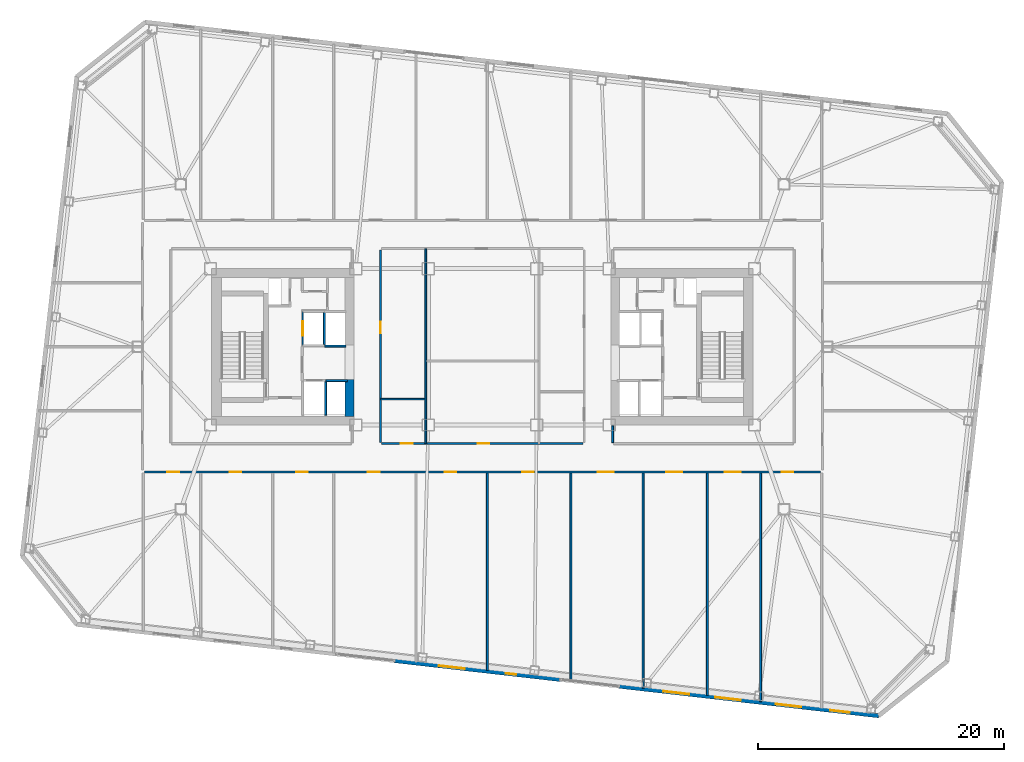
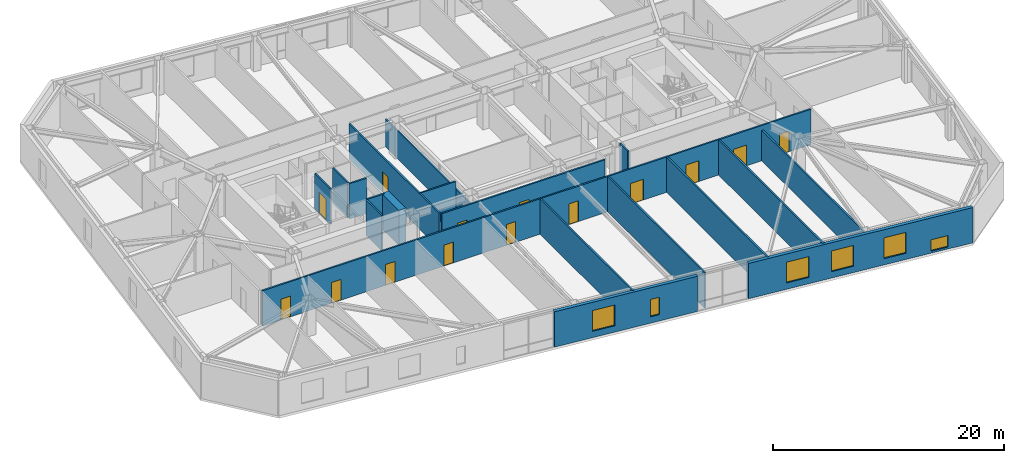
# One storey, part 12 of 21: 19 walls, 14 doors, 6 windows, 20 openings.
"""IFC4 building model written with IfcOpenShell, lengths in metres."""

from ifc_helpers import new_model, si_unit, direction, frame, frame_2d, origin, place, context, subcontext, project, spatial, rectangle, extrude, material, layer, layer_set, type_object, element, fill, save


model = new_model("IFC4")

# Units and contexts
model_context = context("Model", 3, precision=1e-05, world=origin(), true_north=direction((0.0, 1.0)))
body_context = subcontext(model_context, "Body", "Model", "MODEL_VIEW")
ifc_project = project(units=[si_unit("LENGTHUNIT", "METRE"), si_unit("AREAUNIT", "SQUARE_METRE"), si_unit("VOLUMEUNIT", "CUBIC_METRE"), si_unit("PLANEANGLEUNIT", "RADIAN"), si_unit("MASSUNIT", "GRAM", prefix="KILO")], contexts=[model_context])

# Site, building, storey
site_placement = place(None, origin())
site = spatial("IfcSite", under=ifc_project, at=site_placement, CompositionType="ELEMENT")
building_placement = place(site_placement, origin())
building = spatial("IfcBuilding", under=site, at=building_placement, Name="Tavrogorsk Clinical Tower", CompositionType="ELEMENT")
storey_placement = place(building_placement, frame((0.0, 0.0, 133.39990234375)))
storey = spatial("IfcBuildingStorey", under=building, at=storey_placement, Name="L30", CompositionType="ELEMENT", Elevation=133.39990234375)

# Walls
ifc_material_1 = material(Name="Lightweight concrete blockwork B15", Category="masonry")
ifc_layer_1 = layer(ifc_material_1, 0.139892578125)
ifc_layer_set_1 = layer_set([ifc_layer_1], Name="Lightweight concrete blockwork B15")
wall_type_1 = type_object("IfcWallType", Name="PartitionWall_140", PredefinedType="PARTITIONING", material=ifc_layer_set_1)
wall_1_placement = place(storey_placement, frame((-4.60009765625, -7.864990234375, 0.0), z_axis=(0.0, 0.0, 1.0), x_axis=(0.0, 1.0, 0.0)))
element("IfcWall", 1, at=wall_1_placement, inside=storey, type_object=wall_type_1, Name="L30 Central Spine Partition 1", PredefinedType="PARTITIONING", context=body_context, shape_type="SweptSolid", body=[
    extrude(rectangle(XDim=15.830078125, YDim=0.139892578125, at=frame_2d((7.9150390625, 0.0))), origin(), (0.0, 0.0, 1.0), 2.93505859375),
])
wall_2_placement = place(storey_placement, frame((-8.264892578125, -4.25, 0.0), z_axis=(0.0, 0.0, 1.0), x_axis=(1.0, 0.0, 0.0)))
element("IfcWall", 2, at=wall_2_placement, inside=storey, type_object=wall_type_1, Name="L30 Central Spine Partition 4", PredefinedType="PARTITIONING", context=body_context, shape_type="SweptSolid", body=[
    extrude(rectangle(XDim=3.58984375, YDim=0.139892578125, at=frame_2d((1.794921875, 0.0))), origin(), (0.0, 0.0, 1.0), 3.739990234375),
])

# Wall, openings, doors
ifc_material_2 = material(Name="Lightweight concrete blockwork B15", Category="masonry")
ifc_layer_2 = layer(ifc_material_2, 0.159912109375)
ifc_layer_set_2 = layer_set([ifc_layer_2], Name="Lightweight concrete blockwork B15")
wall_type_2 = type_object("IfcWallType", Name="PartitionWall_160", PredefinedType="PARTITIONING", material=ifc_layer_set_2)
wall_3_placement = place(storey_placement, frame((27.465087890625, -10.179931640625, 0.0), z_axis=(0.0, 0.0, 1.0), x_axis=(-1.0, 0.0, 0.0)))
wall_3 = element("IfcWall", 3, at=wall_3_placement, inside=storey, type_object=wall_type_2, Name="L30 Corridor Partition 04", PredefinedType="PARTITIONING", context=body_context, shape_type="SweptSolid", body=[
    extrude(rectangle(XDim=54.93017578125, YDim=0.159912109375, at=frame_2d((27.465087890625, 0.0))), origin(), (0.0, 0.0, 1.0), 3.739990234375),
])
opening_1_placement = place(wall_3_placement, frame((52.10595703125, 0.0, 0.0)))
opening_1 = element("IfcOpeningElement", 4, at=opening_1_placement, cuts=wall_3, Name="Opening ID-02", PredefinedType="OPENING", context=body_context, shape_type="SweptSolid", body=[
    extrude(rectangle(XDim=0.949951171875, YDim=2.199951171875, at=frame_2d((0.47509765625, 1.10009765625))), frame((0.0, 0.08984375, 0.0), z_axis=(0.0, -1.0, 0.0), x_axis=(1.0, 0.0, 0.0)), (0.0, 0.0, 1.0), 0.179931640625),
])
opening_2_placement = place(wall_3_placement, frame((47.050048828125, 0.0, 0.0)))
opening_2 = element("IfcOpeningElement", 5, at=opening_2_placement, cuts=wall_3, Name="Opening ID-02", PredefinedType="OPENING", context=body_context, shape_type="SweptSolid", body=[
    extrude(rectangle(XDim=0.949951171875, YDim=2.199951171875, at=frame_2d((0.47509765625, 1.10009765625))), frame((0.0, 0.08984375, 0.0), z_axis=(0.0, -1.0, 0.0), x_axis=(1.0, 0.0, 0.0)), (0.0, 0.0, 1.0), 0.179931640625),
])
opening_3_placement = place(wall_3_placement, frame((41.64990234375, 0.0, 0.0)))
opening_3 = element("IfcOpeningElement", 6, at=opening_3_placement, cuts=wall_3, Name="Opening ID-02", PredefinedType="OPENING", context=body_context, shape_type="SweptSolid", body=[
    extrude(rectangle(XDim=0.949951171875, YDim=2.199951171875, at=frame_2d((0.47509765625, 1.10009765625))), frame((0.0, 0.08984375, 0.0), z_axis=(0.0, -1.0, 0.0), x_axis=(1.0, 0.0, 0.0)), (0.0, 0.0, 1.0), 0.179931640625),
])
opening_4_placement = place(wall_3_placement, frame((35.824951171875, 0.0, 0.0)))
opening_4 = element("IfcOpeningElement", 7, at=opening_4_placement, cuts=wall_3, Name="Opening ID-02", PredefinedType="OPENING", context=body_context, shape_type="SweptSolid", body=[
    extrude(rectangle(XDim=0.949951171875, YDim=2.199951171875, at=frame_2d((0.47509765625, 1.10009765625))), frame((0.0, 0.08984375, 0.0), z_axis=(0.0, -1.0, 0.0), x_axis=(1.0, 0.0, 0.0)), (0.0, 0.0, 1.0), 0.179931640625),
])
opening_5_placement = place(wall_3_placement, frame((29.574951171875, 0.0, 0.0)))
opening_5 = element("IfcOpeningElement", 8, at=opening_5_placement, cuts=wall_3, Name="Opening ID-02", PredefinedType="OPENING", context=body_context, shape_type="SweptSolid", body=[
    extrude(rectangle(XDim=0.949951171875, YDim=2.199951171875, at=frame_2d((0.47509765625, 1.10009765625))), frame((0.0, 0.08984375, 0.0), z_axis=(0.0, -1.0, 0.0), x_axis=(1.0, 0.0, 0.0)), (0.0, 0.0, 1.0), 0.179931640625),
])
opening_6_placement = place(wall_3_placement, frame((23.284912109375, 0.0, 0.0)))
opening_6 = element("IfcOpeningElement", 9, at=opening_6_placement, cuts=wall_3, Name="Opening ID-02", PredefinedType="OPENING", context=body_context, shape_type="SweptSolid", body=[
    extrude(rectangle(XDim=0.949951171875, YDim=2.199951171875, at=frame_2d((0.47509765625, 1.10009765625))), frame((0.0, 0.08984375, 0.0), z_axis=(0.0, -1.0, 0.0), x_axis=(1.0, 0.0, 0.0)), (0.0, 0.0, 1.0), 0.179931640625),
])
opening_7_placement = place(wall_3_placement, frame((16.780029296875, 0.0, 0.0)))
opening_7 = element("IfcOpeningElement", 10, at=opening_7_placement, cuts=wall_3, Name="Opening ID-01", PredefinedType="OPENING", context=body_context, shape_type="SweptSolid", body=[
    extrude(rectangle(XDim=1.300048828125, YDim=2.199951171875, at=frame_2d((0.64990234375, 1.10009765625))), frame((0.0, 0.08984375, 0.0), z_axis=(0.0, -1.0, 0.0), x_axis=(1.0, 0.0, 0.0)), (0.0, 0.0, 1.0), 0.179931640625),
])
opening_8_placement = place(wall_3_placement, frame((11.22998046875, 0.0, 0.0)))
opening_8 = element("IfcOpeningElement", 11, at=opening_8_placement, cuts=wall_3, Name="Opening ID-01", PredefinedType="OPENING", context=body_context, shape_type="SweptSolid", body=[
    extrude(rectangle(XDim=1.300048828125, YDim=2.199951171875, at=frame_2d((0.64990234375, 1.10009765625))), frame((0.0, 0.08984375, 0.0), z_axis=(0.0, -1.0, 0.0), x_axis=(1.0, 0.0, 0.0)), (0.0, 0.0, 1.0), 0.179931640625),
])
opening_9_placement = place(wall_3_placement, frame((6.4599609375, 0.0, 0.0)))
opening_9 = element("IfcOpeningElement", 12, at=opening_9_placement, cuts=wall_3, Name="Opening ID-01", PredefinedType="OPENING", context=body_context, shape_type="SweptSolid", body=[
    extrude(rectangle(XDim=1.300048828125, YDim=2.199951171875, at=frame_2d((0.64990234375, 1.10009765625))), frame((0.0, 0.08984375, 0.0), z_axis=(0.0, -1.0, 0.0), x_axis=(1.0, 0.0, 0.0)), (0.0, 0.0, 1.0), 0.179931640625),
])
opening_10_placement = place(wall_3_placement, frame((2.194091796875, 0.0, 0.0)))
opening_10 = element("IfcOpeningElement", 13, at=opening_10_placement, cuts=wall_3, Name="Opening ID-02", PredefinedType="OPENING", context=body_context, shape_type="SweptSolid", body=[
    extrude(rectangle(XDim=0.949951171875, YDim=2.199951171875, at=frame_2d((0.47509765625, 1.10009765625))), frame((0.0, 0.08984375, 0.0), z_axis=(0.0, -1.0, 0.0), x_axis=(1.0, 0.0, 0.0)), (0.0, 0.0, 1.0), 0.179931640625),
])
ifc_material_3 = material(Name="Laminated timber leaf on aluminium frame", Category="wood")
door_type_1 = type_object("IfcDoorType", Name="InteriorDoor_ID02_950", OperationType="NOTDEFINED", PredefinedType="DOOR", material=ifc_material_3)
door_1_placement = place(opening_1_placement, origin())
door_1 = element("IfcDoor", 14, at=door_1_placement, inside=storey, type_object=door_type_1, Name="L30 South Clean Medication & Prep Room 01 Door", OperationType="SINGLE_SWING_RIGHT", OverallHeight=2.199951171875, OverallWidth=0.949951171875, PredefinedType="DOOR", context=body_context, shape_type="SweptSolid", body=[
    extrude(rectangle(XDim=0.949951171875, YDim=2.199951171875, at=frame_2d((0.47509765625, 1.10009765625))), frame((0.0, 0.02490234375, 0.0), z_axis=(0.0, -1.0, 0.0), x_axis=(1.0, 0.0, 0.0)), (0.0, 0.0, 1.0), 0.050048828125),
])
fill(opening_1, door_1)
door_2_placement = place(opening_2_placement, origin())
door_2 = element("IfcDoor", 15, at=door_2_placement, inside=storey, type_object=door_type_1, Name="L30 South Outpatient Procedure Suite 02A Door", OperationType="SINGLE_SWING_LEFT", OverallHeight=2.199951171875, OverallWidth=0.949951171875, PredefinedType="DOOR", context=body_context, shape_type="SweptSolid", body=[
    extrude(rectangle(XDim=0.949951171875, YDim=2.199951171875, at=frame_2d((0.47509765625, 1.10009765625))), frame((0.0, 0.02490234375, 0.0), z_axis=(0.0, -1.0, 0.0), x_axis=(1.0, 0.0, 0.0)), (0.0, 0.0, 1.0), 0.050048828125),
])
fill(opening_2, door_2)
door_3_placement = place(opening_3_placement, origin())
door_3 = element("IfcDoor", 16, at=door_3_placement, inside=storey, type_object=door_type_1, Name="L30 South Clinical Case Seminar Room 02B Door", OperationType="SINGLE_SWING_RIGHT", OverallHeight=2.199951171875, OverallWidth=0.949951171875, PredefinedType="DOOR", context=body_context, shape_type="SweptSolid", body=[
    extrude(rectangle(XDim=0.949951171875, YDim=2.199951171875, at=frame_2d((0.47509765625, 1.10009765625))), frame((0.0, 0.02490234375, 0.0), z_axis=(0.0, -1.0, 0.0), x_axis=(1.0, 0.0, 0.0)), (0.0, 0.0, 1.0), 0.050048828125),
])
fill(opening_3, door_3)
door_4_placement = place(opening_4_placement, origin())
door_4 = element("IfcDoor", 17, at=door_4_placement, inside=storey, type_object=door_type_1, Name="L30 South Cardiology Diagnostics Room 03A Door", OperationType="SINGLE_SWING_LEFT", OverallHeight=2.199951171875, OverallWidth=0.949951171875, PredefinedType="DOOR", context=body_context, shape_type="SweptSolid", body=[
    extrude(rectangle(XDim=0.949951171875, YDim=2.199951171875, at=frame_2d((0.47509765625, 1.10009765625))), frame((0.0, 0.02490234375, 0.0), z_axis=(0.0, -1.0, 0.0), x_axis=(1.0, 0.0, 0.0)), (0.0, 0.0, 1.0), 0.050048828125),
])
fill(opening_4, door_4)
door_5_placement = place(opening_5_placement, origin())
door_5 = element("IfcDoor", 18, at=door_5_placement, inside=storey, type_object=door_type_1, Name="L30 South Staff Rest & Nourishment Lounge 03B Door", OperationType="SINGLE_SWING_RIGHT", OverallHeight=2.199951171875, OverallWidth=0.949951171875, PredefinedType="DOOR", context=body_context, shape_type="SweptSolid", body=[
    extrude(rectangle(XDim=0.949951171875, YDim=2.199951171875, at=frame_2d((0.47509765625, 1.10009765625))), frame((0.0, 0.02490234375, 0.0), z_axis=(0.0, -1.0, 0.0), x_axis=(1.0, 0.0, 0.0)), (0.0, 0.0, 1.0), 0.050048828125),
])
fill(opening_5, door_5)
door_6_placement = place(opening_6_placement, origin())
door_6 = element("IfcDoor", 19, at=door_6_placement, inside=storey, type_object=door_type_1, Name="L30 South Attending Physician Office 04A Door", OperationType="SINGLE_SWING_LEFT", OverallHeight=2.199951171875, OverallWidth=0.949951171875, PredefinedType="DOOR", context=body_context, shape_type="SweptSolid", body=[
    extrude(rectangle(XDim=0.949951171875, YDim=2.199951171875, at=frame_2d((0.47509765625, 1.10009765625))), frame((0.0, 0.02490234375, 0.0), z_axis=(0.0, -1.0, 0.0), x_axis=(1.0, 0.0, 0.0)), (0.0, 0.0, 1.0), 0.050048828125),
])
fill(opening_6, door_6)
door_7_placement = place(opening_10_placement, origin())
door_7 = element("IfcDoor", 20, at=door_7_placement, inside=storey, type_object=door_type_1, Name="L30 South Clean Medication & Prep Room 06 Door", OperationType="SINGLE_SWING_LEFT", OverallHeight=2.199951171875, OverallWidth=0.949951171875, PredefinedType="DOOR", context=body_context, shape_type="SweptSolid", body=[
    extrude(rectangle(XDim=0.949951171875, YDim=2.199951171875, at=frame_2d((0.47509765625, 1.10009765625))), frame((0.0, 0.02490234375, 0.0), z_axis=(0.0, -1.0, 0.0), x_axis=(1.0, 0.0, 0.0)), (0.0, 0.0, 1.0), 0.050048828125),
])
fill(opening_10, door_7)
ifc_material_4 = material(Name="Antibacterial HPL medical leaf on aluminium frame", Category="aluminium")
door_type_2 = type_object("IfcDoorType", Name="WardBedDoor_ID01_1300", OperationType="NOTDEFINED", PredefinedType="DOOR", material=ifc_material_4)
door_8_placement = place(opening_7_placement, origin())
door_8 = element("IfcDoor", 21, at=door_8_placement, inside=storey, type_object=door_type_2, Name="L30 South Bariatric Observation Ward 04B Door", OperationType="SINGLE_SWING_RIGHT", OverallHeight=2.199951171875, OverallWidth=1.300048828125, PredefinedType="DOOR", context=body_context, shape_type="SweptSolid", body=[
    extrude(rectangle(XDim=1.300048828125, YDim=2.199951171875, at=frame_2d((0.64990234375, 1.10009765625))), frame((0.0, 0.02490234375, 0.0), z_axis=(0.0, -1.0, 0.0), x_axis=(1.0, 0.0, 0.0)), (0.0, 0.0, 1.0), 0.050048828125),
])
fill(opening_7, door_8)
door_9_placement = place(opening_8_placement, origin())
door_9 = element("IfcDoor", 22, at=door_9_placement, inside=storey, type_object=door_type_2, Name="L30 South Acute Medical Ward 05A Door", OperationType="SINGLE_SWING_LEFT", OverallHeight=2.199951171875, OverallWidth=1.300048828125, PredefinedType="DOOR", context=body_context, shape_type="SweptSolid", body=[
    extrude(rectangle(XDim=1.300048828125, YDim=2.199951171875, at=frame_2d((0.64990234375, 1.10009765625))), frame((0.0, 0.02490234375, 0.0), z_axis=(0.0, -1.0, 0.0), x_axis=(1.0, 0.0, 0.0)), (0.0, 0.0, 1.0), 0.050048828125),
])
fill(opening_8, door_9)
door_10_placement = place(opening_9_placement, origin())
door_10 = element("IfcDoor", 23, at=door_10_placement, inside=storey, type_object=door_type_2, Name="L30 South Surgical Step-Down Ward 05B Door", OperationType="SINGLE_SWING_RIGHT", OverallHeight=2.199951171875, OverallWidth=1.300048828125, PredefinedType="DOOR", context=body_context, shape_type="SweptSolid", body=[
    extrude(rectangle(XDim=1.300048828125, YDim=2.199951171875, at=frame_2d((0.64990234375, 1.10009765625))), frame((0.0, 0.02490234375, 0.0), z_axis=(0.0, -1.0, 0.0), x_axis=(1.0, 0.0, 0.0)), (0.0, 0.0, 1.0), 0.050048828125),
])
fill(opening_9, door_10)

# Wall
wall_4_placement = place(storey_placement, frame((10.580078125, -6.419921875, 0.0), z_axis=(0.0, 0.0, 1.0), x_axis=(0.0, -1.0, 0.0)))
element("IfcWall", 24, at=wall_4_placement, inside=storey, type_object=wall_type_2, Name="L30 Corridor Partition 07", PredefinedType="PARTITIONING", context=body_context, shape_type="SweptSolid", body=[
    extrude(rectangle(XDim=1.364990234375, YDim=0.159912109375, at=frame_2d((0.6826171875, 0.0))), origin(), (0.0, 0.0, 1.0), 3.739990234375),
])

# Wall, opening, door
wall_5_placement = place(storey_placement, frame((-8.27001953125, 7.885009765625, 0.0), z_axis=(0.0, 0.0, 1.0), x_axis=(0.0, -1.0, 0.0)))
wall_5 = element("IfcWall", 25, at=wall_5_placement, inside=storey, type_object=wall_type_2, Name="L30 Corridor Partition 12", PredefinedType="PARTITIONING", context=body_context, shape_type="SweptSolid", body=[
    extrude(rectangle(XDim=15.669921875, YDim=0.159912109375, at=frame_2d((7.8349609375, 0.0))), origin(), (0.0, 0.0, 1.0), 3.739990234375),
])
opening_11_placement = place(wall_5_placement, frame((5.8291015625, 0.0, 0.0)))
opening_11 = element("IfcOpeningElement", 26, at=opening_11_placement, cuts=wall_5, Name="Opening ID-02", PredefinedType="OPENING", context=body_context, shape_type="SweptSolid", body=[
    extrude(rectangle(XDim=0.949951171875, YDim=2.199951171875, at=frame_2d((0.47509765625, 1.10009765625))), frame((0.0, 0.08984375, 0.0), z_axis=(0.0, -1.0, 0.0), x_axis=(1.0, 0.0, 0.0)), (0.0, 0.0, 1.0), 0.179931640625),
])
door_11_placement = place(opening_11_placement, origin())
door_11 = element("IfcDoor", 27, at=door_11_placement, inside=storey, type_object=door_type_1, Name="L30 Ward Nourishment Pantry Door", OperationType="SINGLE_SWING_LEFT", OverallHeight=2.199951171875, OverallWidth=0.949951171875, PredefinedType="DOOR", context=body_context, shape_type="SweptSolid", body=[
    extrude(rectangle(XDim=0.949951171875, YDim=2.199951171875, at=frame_2d((0.47509765625, 1.10009765625))), frame((0.0, 0.02490234375, 0.0), z_axis=(0.0, -1.0, 0.0), x_axis=(1.0, 0.0, 0.0)), (0.0, 0.0, 1.0), 0.050048828125),
])
fill(opening_11, door_11)

# Wall, openings, doors
wall_6_placement = place(storey_placement, frame((-8.18505859375, -7.8701171875, 0.0), z_axis=(0.0, 0.0, 1.0), x_axis=(1.0, 0.0, 0.0)))
wall_6 = element("IfcWall", 28, at=wall_6_placement, inside=storey, type_object=wall_type_2, Name="L30 Corridor Partition 13", PredefinedType="PARTITIONING", context=body_context, shape_type="SweptSolid", body=[
    extrude(rectangle(XDim=16.3701171875, YDim=0.159912109375, at=frame_2d((8.18505859375, 0.0))), origin(), (0.0, 0.0, 1.0), 3.739990234375),
])
opening_12_placement = place(wall_6_placement, frame((1.55419921875, 0.0, 0.0)))
opening_12 = element("IfcOpeningElement", 29, at=opening_12_placement, cuts=wall_6, Name="Opening ID-02", PredefinedType="OPENING", context=body_context, shape_type="SweptSolid", body=[
    extrude(rectangle(XDim=0.949951171875, YDim=2.199951171875, at=frame_2d((0.47509765625, 1.10009765625))), frame((0.0, 0.08984375, 0.0), z_axis=(0.0, -1.0, 0.0), x_axis=(1.0, 0.0, 0.0)), (0.0, 0.0, 1.0), 0.179931640625),
])
opening_13_placement = place(wall_6_placement, frame((7.794921875, 0.0, 0.0)))
opening_13 = element("IfcOpeningElement", 30, at=opening_13_placement, cuts=wall_6, Name="Opening ID-02", PredefinedType="OPENING", context=body_context, shape_type="SweptSolid", body=[
    extrude(rectangle(XDim=0.949951171875, YDim=2.199951171875, at=frame_2d((0.47509765625, 1.10009765625))), frame((0.0, 0.08984375, 0.0), z_axis=(0.0, -1.0, 0.0), x_axis=(1.0, 0.0, 0.0)), (0.0, 0.0, 1.0), 0.179931640625),
])
door_12_placement = place(opening_12_placement, origin())
door_12 = element("IfcDoor", 31, at=door_12_placement, inside=storey, type_object=door_type_1, Name="L30 Accessible Patient Lavatory Door", OperationType="SINGLE_SWING_RIGHT", OverallHeight=2.199951171875, OverallWidth=0.949951171875, PredefinedType="DOOR", context=body_context, shape_type="SweptSolid", body=[
    extrude(rectangle(XDim=0.949951171875, YDim=2.199951171875, at=frame_2d((0.47509765625, 1.10009765625))), frame((0.0, 0.02490234375, 0.0), z_axis=(0.0, -1.0, 0.0), x_axis=(1.0, 0.0, 0.0)), (0.0, 0.0, 1.0), 0.050048828125),
])
fill(opening_12, door_12)
door_13_placement = place(opening_13_placement, origin())
door_13 = element("IfcDoor", 32, at=door_13_placement, inside=storey, type_object=door_type_1, Name="L30 Multidisciplinary Conference Room Door", OperationType="SINGLE_SWING_RIGHT", OverallHeight=2.199951171875, OverallWidth=0.949951171875, PredefinedType="DOOR", context=body_context, shape_type="SweptSolid", body=[
    extrude(rectangle(XDim=0.949951171875, YDim=2.199951171875, at=frame_2d((0.47509765625, 1.10009765625))), frame((0.0, 0.02490234375, 0.0), z_axis=(0.0, -1.0, 0.0), x_axis=(1.0, 0.0, 0.0)), (0.0, 0.0, 1.0), 0.050048828125),
])
fill(opening_13, door_13)

# Walls
wall_7_placement = place(storey_placement, frame((0.39990234375, -26.291015625, 0.0), z_axis=(0.0, 0.0, 1.0), x_axis=(0.0, 1.0, 0.0)))
element("IfcWall", 33, at=wall_7_placement, inside=storey, type_object=wall_type_2, Name="L30 South Room Partition 3", PredefinedType="PARTITIONING", context=body_context, shape_type="SweptSolid", body=[
    extrude(rectangle(XDim=16.026123046875, YDim=0.159912109375, at=frame_2d((8.01318359375, 0.0))), origin(), (0.0, 0.0, 1.0), 3.739990234375),
])
wall_8_placement = place(storey_placement, frame((13.06005859375, -27.7333984375, 0.0), z_axis=(0.0, 0.0, 1.0), x_axis=(0.0, 1.0, 0.0)))
element("IfcWall", 34, at=wall_8_placement, inside=storey, type_object=wall_type_2, Name="L30 South Room Partition 4", PredefinedType="PARTITIONING", context=body_context, shape_type="SweptSolid", body=[
    extrude(rectangle(XDim=17.468505859375, YDim=0.159912109375, at=frame_2d((8.734375, 0.0))), origin(), (0.0, 0.0, 1.0), 3.739990234375),
])
wall_9_placement = place(storey_placement, frame((22.60009765625, -28.8203125, 0.0), z_axis=(0.0, 0.0, 1.0), x_axis=(0.0, 1.0, 0.0)))
element("IfcWall", 35, at=wall_9_placement, inside=storey, type_object=wall_type_2, Name="L30 South Room Partition 5", PredefinedType="PARTITIONING", context=body_context, shape_type="SweptSolid", body=[
    extrude(rectangle(XDim=18.555419921875, YDim=0.159912109375, at=frame_2d((9.27783203125, 0.0))), origin(), (0.0, 0.0, 1.0), 3.235107421875),
])
wall_10_placement = place(storey_placement, frame((7.179931640625, -27.0634765625, 0.0), z_axis=(0.0, 0.0, 1.0), x_axis=(0.0, 1.0, 0.0)))
element("IfcWall", 36, at=wall_10_placement, inside=storey, type_object=wall_type_2, Name="L30 South Sub-Partition 4", PredefinedType="PARTITIONING", context=body_context, shape_type="SweptSolid", body=[
    extrude(rectangle(XDim=16.798583984375, YDim=0.159912109375, at=frame_2d((8.3994140625, 0.0))), origin(), (0.0, 0.0, 1.0), 3.739990234375),
])
wall_11_placement = place(storey_placement, frame((18.280029296875, -28.328125, 0.0), z_axis=(0.0, 0.0, 1.0), x_axis=(0.0, 1.0, 0.0)))
element("IfcWall", 37, at=wall_11_placement, inside=storey, type_object=wall_type_2, Name="L30 South Sub-Partition 5", PredefinedType="PARTITIONING", context=body_context, shape_type="SweptSolid", body=[
    extrude(rectangle(XDim=18.063232421875, YDim=0.159912109375, at=frame_2d((9.03173828125, 0.0))), origin(), (0.0, 0.0, 1.0), 3.739990234375),
])

# Wall, openings, windows
ifc_material_5 = material(Name="Precast concrete B45 with limestone cladding", Category="masonry")
ifc_layer_3 = layer(ifc_material_5, 0.340087890625)
ifc_layer_set_3 = layer_set([ifc_layer_3], Name="Precast concrete B45 with limestone cladding")
wall_type_3 = type_object("IfcWallType", Name="PrecastLimestoneWall_340", PredefinedType="STANDARD", material=ifc_layer_set_3)
wall_12_placement = place(storey_placement, frame((-7.121826171875, -25.50439453125, 0.0), z_axis=(0.0, 0.0, 1.0), x_axis=(0.993571685551, -0.11320470693, 0.0)))
wall_12 = element("IfcWall", 38, at=wall_12_placement, inside=storey, type_object=wall_type_3, Name="L30 S Limestone Facade Wall 2", PredefinedType="STANDARD", context=body_context, shape_type="SweptSolid", body=[
    extrude(rectangle(XDim=13.554443359375, YDim=0.340087890625, at=frame_2d((6.77734375, 0.0))), origin(), (0.0, 0.0, 1.0), 3.739990234375),
])
opening_14_placement = place(wall_12_placement, frame((3.616455078125, 0.0, 0.669921875)))
opening_14 = element("IfcOpeningElement", 39, at=opening_14_placement, cuts=wall_12, Name="Opening WN-03", PredefinedType="OPENING", context=body_context, shape_type="SweptSolid", body=[
    extrude(rectangle(XDim=2.10009765625, YDim=2.199951171875, at=frame_2d((1.050048828125, 1.10009765625))), frame((0.0, 0.179931640625, 0.0), z_axis=(0.0, -1.0, 0.0), x_axis=(1.0, 0.0, 0.0)), (0.0, 0.0, 1.0), 0.360107421875),
])
opening_15_placement = place(wall_12_placement, frame((9.087890625, 0.0, 0.669921875)))
opening_15 = element("IfcOpeningElement", 40, at=opening_15_placement, cuts=wall_12, Name="Opening WN-06", PredefinedType="OPENING", context=body_context, shape_type="SweptSolid", body=[
    extrude(rectangle(XDim=0.85009765625, YDim=1.85009765625, at=frame_2d((0.425048828125, 0.925048828125))), frame((0.0, 0.179931640625, 0.0), z_axis=(0.0, -1.0, 0.0), x_axis=(1.0, 0.0, 0.0)), (0.0, 0.0, 1.0), 0.360107421875),
])
ifc_material_6 = material(Name="Thermally broken aluminium frame and triple IGU", Category="aluminium")
window_type_1 = type_object("IfcWindowType", Name="MullionSubWin_850x1850", PartitioningType="SINGLE_PANEL", PredefinedType="WINDOW", material=ifc_material_6)
window_1_placement = place(opening_15_placement, origin())
window_1 = element("IfcWindow", 41, at=window_1_placement, inside=storey, type_object=window_type_1, Name="L30 S Mullion Split Window 06B", OverallHeight=1.85009765625, OverallWidth=0.85009765625, PartitioningType="SINGLE_PANEL", PredefinedType="WINDOW", context=body_context, shape_type="SweptSolid", body=[
    extrude(rectangle(XDim=0.85009765625, YDim=1.85009765625, at=frame_2d((0.425048828125, 0.925048828125))), frame((0.0, 0.030029296875, 0.0), z_axis=(0.0, -1.0, 0.0), x_axis=(1.0, 0.0, 0.0)), (0.0, 0.0, 1.0), 0.06005859375),
])
fill(opening_15, window_1)
ifc_material_7 = material(Name="Thermally broken aluminium frame and triple IGU", Category="aluminium")
window_type_2 = type_object("IfcWindowType", Name="PatientTwinWin_2100x2200", PartitioningType="DOUBLE_PANEL_VERTICAL", PredefinedType="WINDOW", material=ifc_material_7)
window_2_placement = place(opening_14_placement, origin())
window_2 = element("IfcWindow", 42, at=window_2_placement, inside=storey, type_object=window_type_2, Name="L30 S Chicago Window 05", OverallHeight=2.199951171875, OverallWidth=2.10009765625, PartitioningType="SINGLE_PANEL", PredefinedType="WINDOW", context=body_context, shape_type="SweptSolid", body=[
    extrude(rectangle(XDim=2.10009765625, YDim=2.199951171875, at=frame_2d((1.050048828125, 1.10009765625))), frame((0.0, 0.030029296875, 0.0), z_axis=(0.0, -1.0, 0.0), x_axis=(1.0, 0.0, 0.0)), (0.0, 0.0, 1.0), 0.06005859375),
])
fill(opening_14, window_2)

wall_13_placement = place(storey_placement, frame((11.114501953125, -27.582275390625, 0.0), z_axis=(0.0, 0.0, 1.0), x_axis=(0.993572655904, -0.113196190044, 0.0)))
wall_13 = element("IfcWall", 43, at=wall_13_placement, inside=storey, type_object=wall_type_3, Name="L30 S Limestone Facade Wall 3", PredefinedType="STANDARD", context=body_context, shape_type="SweptSolid", body=[
    extrude(rectangle(XDim=21.222900390625, YDim=0.340087890625, at=frame_2d((10.611328125, 0.0))), origin(), (0.0, 0.0, 1.0), 3.739990234375),
])
opening_16_placement = place(wall_13_placement, frame((3.616455078125, 0.0, 0.669921875)))
opening_16 = element("IfcOpeningElement", 44, at=opening_16_placement, cuts=wall_13, Name="Opening WN-03", PredefinedType="OPENING", context=body_context, shape_type="SweptSolid", body=[
    extrude(rectangle(XDim=2.10009765625, YDim=2.199951171875, at=frame_2d((1.050048828125, 1.10009765625))), frame((0.0, 0.179931640625, 0.0), z_axis=(0.0, -1.0, 0.0), x_axis=(1.0, 0.0, 0.0)), (0.0, 0.0, 1.0), 0.360107421875),
])
opening_17_placement = place(wall_13_placement, frame((7.837890625, 0.0, 0.669921875)))
opening_17 = element("IfcOpeningElement", 45, at=opening_17_placement, cuts=wall_13, Name="Opening WN-03", PredefinedType="OPENING", context=body_context, shape_type="SweptSolid", body=[
    extrude(rectangle(XDim=2.10009765625, YDim=2.199951171875, at=frame_2d((1.050048828125, 1.10009765625))), frame((0.0, 0.179931640625, 0.0), z_axis=(0.0, -1.0, 0.0), x_axis=(1.0, 0.0, 0.0)), (0.0, 0.0, 1.0), 0.360107421875),
])
opening_18_placement = place(wall_13_placement, frame((12.793701171875, 0.0, 0.669921875)))
opening_18 = element("IfcOpeningElement", 46, at=opening_18_placement, cuts=wall_13, Name="Opening WN-03", PredefinedType="OPENING", context=body_context, shape_type="SweptSolid", body=[
    extrude(rectangle(XDim=2.10009765625, YDim=2.199951171875, at=frame_2d((1.050048828125, 1.10009765625))), frame((0.0, 0.179931640625, 0.0), z_axis=(0.0, -1.0, 0.0), x_axis=(1.0, 0.0, 0.0)), (0.0, 0.0, 1.0), 0.360107421875),
])
opening_19_placement = place(wall_13_placement, frame((17.264892578125, 0.0, 0.219970703125)))
opening_19 = element("IfcOpeningElement", 47, at=opening_19_placement, cuts=wall_13, Name="Opening WN-09", PredefinedType="OPENING", context=body_context, shape_type="SweptSolid", body=[
    extrude(rectangle(XDim=1.60009765625, YDim=1.199951171875, at=frame_2d((0.800048828125, 0.60009765625))), frame((0.0, 0.179931640625, 0.0), z_axis=(0.0, -1.0, 0.0), x_axis=(1.0, 0.0, 0.0)), (0.0, 0.0, 1.0), 0.360107421875),
])
ifc_material_8 = material(Name="Thermally broken aluminium frame and triple IGU", Category="aluminium")
window_type_3 = type_object("IfcWindowType", Name="LowHeadTransWin_1600x1200", PartitioningType="DOUBLE_PANEL_VERTICAL", PredefinedType="WINDOW", material=ifc_material_8)
window_3_placement = place(opening_19_placement, origin())
window_3 = element("IfcWindow", 48, at=window_3_placement, inside=storey, type_object=window_type_3, Name="L30 S Chicago Window 10", OverallHeight=1.199951171875, OverallWidth=1.60009765625, PartitioningType="SINGLE_PANEL", PredefinedType="WINDOW", context=body_context, shape_type="SweptSolid", body=[
    extrude(rectangle(XDim=1.60009765625, YDim=1.199951171875, at=frame_2d((0.800048828125, 0.60009765625))), frame((0.0, 0.030029296875, 0.0), z_axis=(0.0, -1.0, 0.0), x_axis=(1.0, 0.0, 0.0)), (0.0, 0.0, 1.0), 0.06005859375),
])
fill(opening_19, window_3)
window_4_placement = place(opening_16_placement, origin())
window_4 = element("IfcWindow", 49, at=window_4_placement, inside=storey, type_object=window_type_2, Name="L30 S Chicago Window 07", OverallHeight=2.199951171875, OverallWidth=2.10009765625, PartitioningType="SINGLE_PANEL", PredefinedType="WINDOW", context=body_context, shape_type="SweptSolid", body=[
    extrude(rectangle(XDim=2.10009765625, YDim=2.199951171875, at=frame_2d((1.050048828125, 1.10009765625))), frame((0.0, 0.030029296875, 0.0), z_axis=(0.0, -1.0, 0.0), x_axis=(1.0, 0.0, 0.0)), (0.0, 0.0, 1.0), 0.06005859375),
])
fill(opening_16, window_4)
window_5_placement = place(opening_17_placement, origin())
window_5 = element("IfcWindow", 50, at=window_5_placement, inside=storey, type_object=window_type_2, Name="L30 S Chicago Window 08", OverallHeight=2.199951171875, OverallWidth=2.10009765625, PartitioningType="SINGLE_PANEL", PredefinedType="WINDOW", context=body_context, shape_type="SweptSolid", body=[
    extrude(rectangle(XDim=2.10009765625, YDim=2.199951171875, at=frame_2d((1.050048828125, 1.10009765625))), frame((0.0, 0.030029296875, 0.0), z_axis=(0.0, -1.0, 0.0), x_axis=(1.0, 0.0, 0.0)), (0.0, 0.0, 1.0), 0.06005859375),
])
fill(opening_17, window_5)
window_6_placement = place(opening_18_placement, origin())
window_6 = element("IfcWindow", 51, at=window_6_placement, inside=storey, type_object=window_type_2, Name="L30 S Chicago Window 09", OverallHeight=2.199951171875, OverallWidth=2.10009765625, PartitioningType="SINGLE_PANEL", PredefinedType="WINDOW", context=body_context, shape_type="SweptSolid", body=[
    extrude(rectangle(XDim=2.10009765625, YDim=2.199951171875, at=frame_2d((1.050048828125, 1.10009765625))), frame((0.0, 0.030029296875, 0.0), z_axis=(0.0, -1.0, 0.0), x_axis=(1.0, 0.0, 0.0)), (0.0, 0.0, 1.0), 0.06005859375),
])
fill(opening_18, window_6)

# Wall, opening, door
ifc_material_9 = material(Name="Lightweight concrete blockwork B25", Category="masonry")
ifc_layer_4 = layer(ifc_material_9, 0.159912109375)
ifc_layer_set_4 = layer_set([ifc_layer_4], Name="Lightweight concrete blockwork B25")
wall_type_4 = type_object("IfcWallType", Name="ShaftWall_160", PredefinedType="PARTITIONING", material=ifc_layer_set_4)
wall_14_placement = place(storey_placement, frame((-14.60009765625, 0.1201171875, 0.0), z_axis=(0.0, 0.0, 1.0), x_axis=(0.0, 1.0, 0.0)))
wall_14 = element("IfcWall", 52, at=wall_14_placement, inside=storey, type_object=wall_type_4, Name="L30 FFL-W Firefighting Lift Front Wall", PredefinedType="PARTITIONING", context=body_context, shape_type="SweptSolid", body=[
    extrude(rectangle(XDim=2.739990234375, YDim=0.159912109375, at=frame_2d((1.3701171875, 0.0))), origin(), (0.0, 0.0, 1.0), 3.739990234375),
])
opening_20_placement = place(wall_14_placement, frame((0.77001953125, 0.0, 0.0)))
opening_20 = element("IfcOpeningElement", 53, at=opening_20_placement, cuts=wall_14, Name="Opening LD", PredefinedType="OPENING", context=body_context, shape_type="SweptSolid", body=[
    extrude(rectangle(XDim=1.199951171875, YDim=2.199951171875, at=frame_2d((0.60009765625, 1.10009765625))), frame((0.0, 0.08984375, 0.0), z_axis=(0.0, -1.0, 0.0), x_axis=(1.0, 0.0, 0.0)), (0.0, 0.0, 1.0), 0.179931640625),
])
ifc_material_10 = material(Name="Brushed stainless steel AISI 304 sliding doors", Category="steel")
door_type_3 = type_object("IfcDoorType", Name="LiftLandingDoor_LD_1200", OperationType="SLIDING_TO_LEFT", PredefinedType="DOOR", material=ifc_material_10)
door_14_placement = place(opening_20_placement, origin())
door_14 = element("IfcDoor", 54, at=door_14_placement, inside=storey, type_object=door_type_3, Name="L30 FFL-W Sliding Lift Landing Door", OperationType="SLIDING_TO_LEFT", OverallHeight=2.199951171875, OverallWidth=1.199951171875, PredefinedType="DOOR", context=body_context, shape_type="SweptSolid", body=[
    extrude(rectangle(XDim=1.199951171875, YDim=2.199951171875, at=frame_2d((0.60009765625, 1.10009765625))), frame((0.0, 0.02490234375, 0.0), z_axis=(0.0, -1.0, 0.0), x_axis=(1.0, 0.0, 0.0)), (0.0, 0.0, 1.0), 0.050048828125),
])
fill(opening_20, door_14)

# Walls
wall_15_placement = place(storey_placement, frame((-12.840087890625, 0.179931640625, 0.0), z_axis=(0.0, 0.0, 1.0), x_axis=(0.0, 1.0, 0.0)))
element("IfcWall", 55, at=wall_15_placement, inside=storey, type_object=wall_type_4, Name="L30 FFL-W Shaft Back Wall", PredefinedType="PARTITIONING", context=body_context, shape_type="SweptSolid", body=[
    extrude(rectangle(XDim=2.6201171875, YDim=0.159912109375, at=frame_2d((1.31005859375, 0.0))), origin(), (0.0, 0.0, 1.0), 3.739990234375),
])
wall_16_placement = place(storey_placement, frame((-12.75, -5.5400390625, 0.0), z_axis=(0.0, 0.0, 1.0), x_axis=(0.0, 1.0, 0.0)))
element("IfcWall", 56, at=wall_16_placement, inside=storey, type_object=wall_type_4, Name="L30 LP-L1 Lift Hoistway Divider Wall", PredefinedType="PARTITIONING", context=body_context, shape_type="SweptSolid", body=[
    extrude(rectangle(XDim=2.699951171875, YDim=0.159912109375, at=frame_2d((1.35009765625, 0.0))), origin(), (0.0, 0.0, 1.0), 3.739990234375),
])
wall_17_placement = place(storey_placement, frame((-12.72998046875, -2.75, 0.0), z_axis=(0.0, 0.0, 1.0), x_axis=(1.0, 0.0, 0.0)))
element("IfcWall", 57, at=wall_17_placement, inside=storey, type_object=wall_type_4, Name="L30 LP-M1 Lift Shaft Portal Wall", PredefinedType="PARTITIONING", context=body_context, shape_type="SweptSolid", body=[
    extrude(rectangle(XDim=1.760009765625, YDim=0.159912109375, at=frame_2d((0.8798828125, 0.0))), origin(), (0.0, 0.0, 1.0), 3.739990234375),
])
wall_18_placement = place(storey_placement, frame((-12.820068359375, 0.06005859375, 0.0), z_axis=(0.0, 0.0, 1.0), x_axis=(1.0, 0.0, 0.0)))
element("IfcWall", 58, at=wall_18_placement, inside=storey, type_object=wall_type_4, Name="L30 LP-H1 High-Zone Lift Portal Wall", PredefinedType="PARTITIONING", context=body_context, shape_type="SweptSolid", body=[
    extrude(rectangle(XDim=1.719970703125, YDim=0.159912109375, at=frame_2d((0.85986328125, 0.0))), origin(), (0.0, 0.0, 1.0), 3.739990234375),
])
ifc_material_11 = material(Name="Concrete B80", Category="concrete")
ifc_layer_5 = layer(ifc_material_11, 0.699951171875)
ifc_layer_set_5 = layer_set([ifc_layer_5], Name="Concrete B80")
wall_type_5 = type_object("IfcWallType", Name="ShearWall_700", PredefinedType="SHEAR", material=ifc_layer_set_5)
wall_19_placement = place(storey_placement, frame((-10.800048828125, -5.64990234375, 0.0), z_axis=(0.0, 0.0, 1.0), x_axis=(0.0, 1.0, 0.0)))
element("IfcWall", 59, at=wall_19_placement, inside=storey, type_object=wall_type_5, Name="L30 Core West Inner South Pier", PredefinedType="SHEAR", context=body_context, shape_type="SweptSolid", body=[
    extrude(rectangle(XDim=3.0, YDim=0.699951171875, at=frame_2d((1.5, 0.0))), origin(), (0.0, 0.0, 1.0), 3.739990234375),
])

save(model, "model.ifc")
